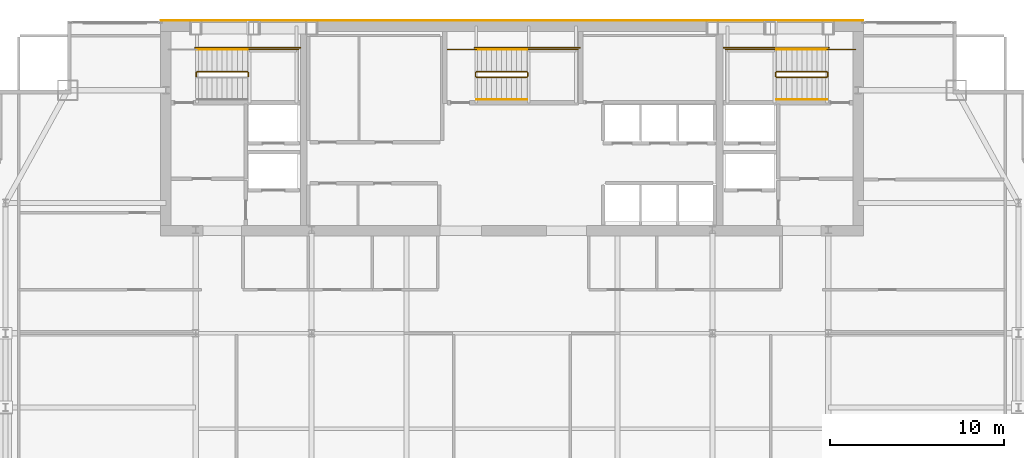
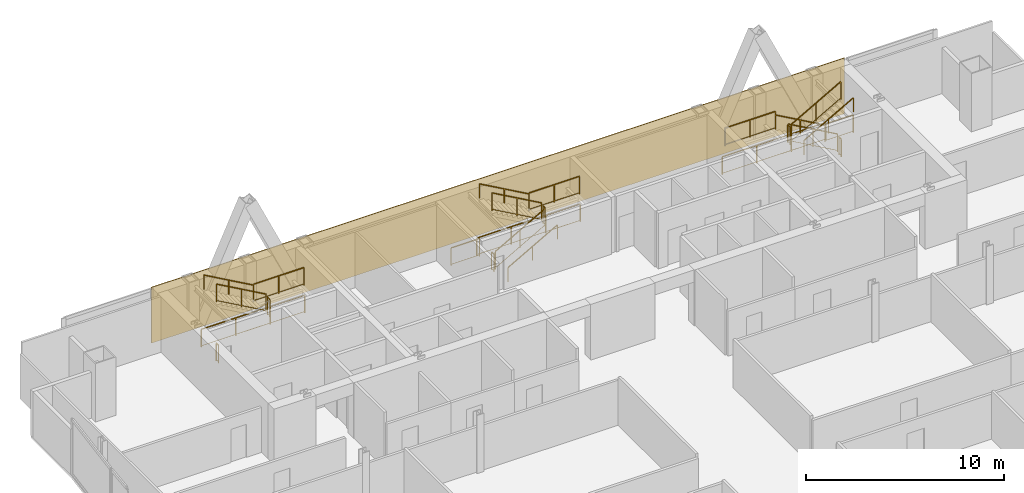
# One storey, part 32 of 32: 24 railings, 1 covering.
"""IFC4 building model written with IfcOpenShell, lengths in metres."""

from ifc_helpers import new_model, si_unit, direction, frame, origin, origin_2d, place, context, subcontext, project, spatial, polyline, rectangle, outline, extrude, material, layer, layer_set, type_object, element, save


model = new_model("IFC4")

# Units and contexts
model_context = context("Model", 3, precision=1e-05, world=origin(), true_north=direction((0.0, 1.0)))
body_context = subcontext(model_context, "Body", "Model", "MODEL_VIEW")
ifc_project = project(units=[si_unit("LENGTHUNIT", "METRE"), si_unit("AREAUNIT", "SQUARE_METRE"), si_unit("VOLUMEUNIT", "CUBIC_METRE"), si_unit("PLANEANGLEUNIT", "RADIAN"), si_unit("MASSUNIT", "GRAM", prefix="KILO")], contexts=[model_context])

# Site, building, storey
site_placement = place(None, origin())
site = spatial("IfcSite", under=ifc_project, at=site_placement, CompositionType="ELEMENT")
building_placement = place(site_placement, origin())
building = spatial("IfcBuilding", under=site, at=building_placement, Name="Khoronbel Lancet Exchange", CompositionType="ELEMENT")
storey_placement = place(building_placement, frame((0.0, 0.0, 231.800048828125)))
storey = spatial("IfcBuildingStorey", under=building, at=storey_placement, Name="L59", CompositionType="ELEMENT", Elevation=231.800048828125)

# Covering
ifc_material_1 = material(Name="Honed Egyptian Limestone & Bronze Rainscreen", Category="masonry")
ifc_layer = layer(ifc_material_1, 0.050048828125, Name="Honed Egyptian Limestone & Bronze Rainscreen")
ifc_layer_set = layer_set([ifc_layer], Name="Honed Egyptian Limestone & Bronze Rainscreen")
covering_type = type_object("IfcCoveringType", Name="COV-CLAD1", PredefinedType="CLADDING", material=ifc_layer_set)
covering_placement = place(storey_placement, origin())
element("IfcCovering", 1, at=covering_placement, inside=storey, type_object=covering_type, Name="Level L59 north rear-core stone and bronze rainscreen cladding", PredefinedType="CLADDING", context=body_context, shape_type="SweptSolid", body=[
    extrude(outline(polyline([(16.199951171875, 53.699951171875), (56.699951171875, 53.699951171875), (56.699951171875, 53.75), (16.199951171875, 53.75), (16.199951171875, 53.699951171875)])), origin(), (0.0, 0.0, 1.0), 3.43994140625),
])

# Railings
ifc_material_2 = material(Name="Painted Steel Balustrade", Category="steel")
railing_type_1 = type_object("IfcRailingType", Name="RL-STG110", PredefinedType="GUARDRAIL", material=ifc_material_2)
railing_1_placement = place(storey_placement, frame((21.25, 50.5, 1.800048828125)))
element("IfcRailing", 2, at=railing_1_placement, inside=storey, type_object=railing_type_1, Name="L59 ST1 stair guard 2", PredefinedType="GUARDRAIL", context=body_context, shape_type="SweptSolid", body=[
    extrude(rectangle(XDim=0.048095703125, YDim=0.048095703125, at=origin_2d()), frame((0.0, 0.0, 1.09619140625), z_axis=(0.0, 1.0, 0.0), x_axis=(-1.0, 0.0, 0.0)), (0.0, 0.0, 1.0), 0.219970703125),
    extrude(rectangle(XDim=0.02392578125, YDim=0.02392578125, at=origin_2d()), frame((0.0, 0.0, 0.080078125), z_axis=(0.0, 1.0, 0.0), x_axis=(-1.0, 0.0, 0.0)), (0.0, 0.0, 1.0), 0.219970703125),
    extrude(rectangle(XDim=0.0419921875, YDim=0.0419921875, at=origin_2d()), origin(), (0.0, 0.0, 1.0), 1.072021484375),
    extrude(rectangle(XDim=0.0419921875, YDim=0.0419921875, at=origin_2d()), frame((0.0, 0.219970703125, 0.0)), (0.0, 0.0, 1.0), 1.072021484375),
])
railing_2_placement = place(storey_placement, frame((21.199951171875, 52.050048828125, 1.800048828125)))
element("IfcRailing", 3, at=railing_2_placement, inside=storey, type_object=railing_type_1, Name="L59 ST1 stair guard 3", PredefinedType="GUARDRAIL", context=body_context, shape_type="SweptSolid", body=[
    extrude(rectangle(XDim=0.048095703125, YDim=0.048095703125, at=origin_2d()), frame((0.0, 0.0, 1.09619140625), z_axis=(1.0, 0.0, 0.0), x_axis=(0.0, 1.0, 0.0)), (0.0, 0.0, 1.0), 2.949951171875),
    extrude(rectangle(XDim=0.02392578125, YDim=0.02392578125, at=origin_2d()), frame((0.0, 0.0, 0.080078125), z_axis=(1.0, 0.0, 0.0), x_axis=(0.0, 1.0, 0.0)), (0.0, 0.0, 1.0), 2.949951171875),
    extrude(rectangle(XDim=0.0419921875, YDim=0.0419921875, at=origin_2d()), origin(), (0.0, 0.0, 1.0), 1.072021484375),
    extrude(rectangle(XDim=0.0419921875, YDim=0.0419921875, at=origin_2d()), frame((1.47509765625, 0.0, 0.0)), (0.0, 0.0, 1.0), 1.072021484375),
    extrude(rectangle(XDim=0.0419921875, YDim=0.0419921875, at=origin_2d()), frame((2.949951171875, 0.0, 0.0)), (0.0, 0.0, 1.0), 1.072021484375),
])
railing_3_placement = place(storey_placement, frame((21.199951171875, 50.77001953125, 1.963623046875)))
element("IfcRailing", 4, at=railing_3_placement, inside=storey, type_object=railing_type_1, Name="L59 ST1 stair guard 4", PredefinedType="GUARDRAIL", context=body_context, shape_type="SweptSolid", body=[
    extrude(rectangle(XDim=0.048095703125, YDim=0.048095703125, at=origin_2d()), frame((0.0, 0.0, 1.09619140625), z_axis=(-0.870928581787, 0.0, 0.491409610636), x_axis=(0.0, -1.0, 0.0)), (0.0, 0.0, 1.0), 3.32958984375),
    extrude(rectangle(XDim=0.02392578125, YDim=0.02392578125, at=origin_2d()), frame((0.0, 0.0, 0.080078125), z_axis=(-0.870928581787, 0.0, 0.491409610636), x_axis=(0.0, -1.0, 0.0)), (0.0, 0.0, 1.0), 3.32958984375),
    extrude(rectangle(XDim=0.0419921875, YDim=0.0419921875, at=origin_2d()), origin(), (0.0, 0.0, 1.0), 1.072021484375),
    extrude(rectangle(XDim=0.0419921875, YDim=0.0419921875, at=origin_2d()), frame((-1.449951171875, 0.0, 0.818115234375)), (0.0, 0.0, 1.0), 1.072021484375),
    extrude(rectangle(XDim=0.0419921875, YDim=0.0419921875, at=origin_2d()), frame((-2.89990234375, 0.0, 1.63623046875)), (0.0, 0.0, 1.0), 1.072021484375),
])
railing_4_placement = place(storey_placement, frame((18.25, 50.5, 0.0)))
element("IfcRailing", 5, at=railing_4_placement, inside=storey, type_object=railing_type_1, Name="L59 ST1 stair guard 5", PredefinedType="GUARDRAIL", context=body_context, shape_type="SweptSolid", body=[
    extrude(rectangle(XDim=0.048095703125, YDim=0.048095703125, at=origin_2d()), frame((0.0, 0.0, 1.09619140625), z_axis=(0.0, 1.0, 0.0), x_axis=(-1.0, 0.0, 0.0)), (0.0, 0.0, 1.0), 0.219970703125),
    extrude(rectangle(XDim=0.02392578125, YDim=0.02392578125, at=origin_2d()), frame((0.0, 0.0, 0.080078125), z_axis=(0.0, 1.0, 0.0), x_axis=(-1.0, 0.0, 0.0)), (0.0, 0.0, 1.0), 0.219970703125),
    extrude(rectangle(XDim=0.0419921875, YDim=0.0419921875, at=origin_2d()), origin(), (0.0, 0.0, 1.0), 1.072021484375),
    extrude(rectangle(XDim=0.0419921875, YDim=0.0419921875, at=origin_2d()), frame((0.0, 0.219970703125, 0.0)), (0.0, 0.0, 1.0), 1.072021484375),
])
railing_5_placement = place(storey_placement, frame((18.199951171875, 52.14990234375, 0.0)))
element("IfcRailing", 6, at=railing_5_placement, inside=storey, type_object=railing_type_1, Name="L59 ST1 stair guard 7", PredefinedType="GUARDRAIL", context=body_context, shape_type="SweptSolid", body=[
    extrude(rectangle(XDim=0.048095703125, YDim=0.048095703125, at=origin_2d()), frame((0.0, 0.0, 1.09619140625), z_axis=(1.0, 0.0, 0.0), x_axis=(0.0, 1.0, 0.0)), (0.0, 0.0, 1.0), 6.050048828125),
    extrude(rectangle(XDim=0.02392578125, YDim=0.02392578125, at=origin_2d()), frame((0.0, 0.0, 0.080078125), z_axis=(1.0, 0.0, 0.0), x_axis=(0.0, 1.0, 0.0)), (0.0, 0.0, 1.0), 6.050048828125),
    extrude(rectangle(XDim=0.0419921875, YDim=0.0419921875, at=origin_2d()), origin(), (0.0, 0.0, 1.0), 1.072021484375),
    extrude(rectangle(XDim=0.0419921875, YDim=0.0419921875, at=origin_2d()), frame((2.0166015625, 0.0, 0.0)), (0.0, 0.0, 1.0), 1.072021484375),
    extrude(rectangle(XDim=0.0419921875, YDim=0.0419921875, at=origin_2d()), frame((4.033447265625, 0.0, 0.0)), (0.0, 0.0, 1.0), 1.072021484375),
    extrude(rectangle(XDim=0.0419921875, YDim=0.0419921875, at=origin_2d()), frame((6.050048828125, 0.0, 0.0)), (0.0, 0.0, 1.0), 1.072021484375),
])
railing_6_placement = place(storey_placement, frame((54.60009765625, 50.77001953125, 0.16357421875)))
element("IfcRailing", 7, at=railing_6_placement, inside=storey, type_object=railing_type_1, Name="L59 ST2 stair guard 1", PredefinedType="GUARDRAIL", context=body_context, shape_type="SweptSolid", body=[
    extrude(rectangle(XDim=0.048095703125, YDim=0.048095703125, at=origin_2d()), frame((0.0, 0.0, 1.09619140625), z_axis=(-0.870914908162, 0.0, 0.491433843708), x_axis=(0.0, -1.0, 0.0)), (0.0, 0.0, 1.0), 3.330078125),
    extrude(rectangle(XDim=0.02392578125, YDim=0.02392578125, at=origin_2d()), frame((0.0, 0.0, 0.080078125), z_axis=(-0.870914908162, 0.0, 0.491433843708), x_axis=(0.0, -1.0, 0.0)), (0.0, 0.0, 1.0), 3.330078125),
    extrude(rectangle(XDim=0.0419921875, YDim=0.0419921875, at=origin_2d()), origin(), (0.0, 0.0, 1.0), 1.072021484375),
    extrude(rectangle(XDim=0.0419921875, YDim=0.0419921875, at=origin_2d()), frame((-1.4501953125, 0.0, 0.818359375)), (0.0, 0.0, 1.0), 1.072021484375),
    extrude(rectangle(XDim=0.0419921875, YDim=0.0419921875, at=origin_2d()), frame((-2.900146484375, 0.0, 1.636474609375)), (0.0, 0.0, 1.0), 1.072021484375),
])
railing_7_placement = place(storey_placement, frame((51.64990234375, 50.719970703125, 1.800048828125)))
element("IfcRailing", 8, at=railing_7_placement, inside=storey, type_object=railing_type_1, Name="L59 ST2 stair guard 2", PredefinedType="GUARDRAIL", context=body_context, shape_type="SweptSolid", body=[
    extrude(rectangle(XDim=0.048095703125, YDim=0.048095703125, at=origin_2d()), frame((0.0, 0.0, 1.09619140625), z_axis=(0.0, -1.0, 0.0), x_axis=(1.0, 0.0, 0.0)), (0.0, 0.0, 1.0), 0.219970703125),
    extrude(rectangle(XDim=0.02392578125, YDim=0.02392578125, at=origin_2d()), frame((0.0, 0.0, 0.080078125), z_axis=(0.0, -1.0, 0.0), x_axis=(1.0, 0.0, 0.0)), (0.0, 0.0, 1.0), 0.219970703125),
    extrude(rectangle(XDim=0.0419921875, YDim=0.0419921875, at=origin_2d()), origin(), (0.0, 0.0, 1.0), 1.072021484375),
    extrude(rectangle(XDim=0.0419921875, YDim=0.0419921875, at=origin_2d()), frame((0.0, -0.219970703125, 0.0)), (0.0, 0.0, 1.0), 1.072021484375),
])
railing_8_placement = place(storey_placement, frame((51.699951171875, 52.050048828125, 1.800048828125)))
element("IfcRailing", 9, at=railing_8_placement, inside=storey, type_object=railing_type_1, Name="L59 ST2 stair guard 3", PredefinedType="GUARDRAIL", context=body_context, shape_type="SweptSolid", body=[
    extrude(rectangle(XDim=0.048095703125, YDim=0.048095703125, at=origin_2d()), frame((0.0, 0.0, 1.09619140625), z_axis=(-1.0, 0.0, 0.0), x_axis=(0.0, -1.0, 0.0)), (0.0, 0.0, 1.0), 2.949951171875),
    extrude(rectangle(XDim=0.02392578125, YDim=0.02392578125, at=origin_2d()), frame((0.0, 0.0, 0.080078125), z_axis=(-1.0, 0.0, 0.0), x_axis=(0.0, -1.0, 0.0)), (0.0, 0.0, 1.0), 2.949951171875),
    extrude(rectangle(XDim=0.0419921875, YDim=0.0419921875, at=origin_2d()), origin(), (0.0, 0.0, 1.0), 1.072021484375),
    extrude(rectangle(XDim=0.0419921875, YDim=0.0419921875, at=origin_2d()), frame((-1.47509765625, 0.0, 0.0)), (0.0, 0.0, 1.0), 1.072021484375),
    extrude(rectangle(XDim=0.0419921875, YDim=0.0419921875, at=origin_2d()), frame((-2.949951171875, 0.0, 0.0)), (0.0, 0.0, 1.0), 1.072021484375),
])
railing_9_placement = place(storey_placement, frame((51.699951171875, 50.449951171875, 1.963623046875)))
element("IfcRailing", 10, at=railing_9_placement, inside=storey, type_object=railing_type_1, Name="L59 ST2 stair guard 4", PredefinedType="GUARDRAIL", context=body_context, shape_type="SweptSolid", body=[
    extrude(rectangle(XDim=0.048095703125, YDim=0.048095703125, at=origin_2d()), frame((0.0, 0.0, 1.09619140625), z_axis=(0.870946286338, 0.0, 0.49137823142), x_axis=(0.0, 1.0, 0.0)), (0.0, 0.0, 1.0), 3.329833984375),
    extrude(rectangle(XDim=0.02392578125, YDim=0.02392578125, at=origin_2d()), frame((0.0, 0.0, 0.080078125), z_axis=(0.870946286338, 0.0, 0.49137823142), x_axis=(0.0, 1.0, 0.0)), (0.0, 0.0, 1.0), 3.329833984375),
    extrude(rectangle(XDim=0.0419921875, YDim=0.0419921875, at=origin_2d()), origin(), (0.0, 0.0, 1.0), 1.072021484375),
    extrude(rectangle(XDim=0.0419921875, YDim=0.0419921875, at=origin_2d()), frame((1.4501953125, 0.0, 0.818115234375)), (0.0, 0.0, 1.0), 1.072021484375),
    extrude(rectangle(XDim=0.0419921875, YDim=0.0419921875, at=origin_2d()), frame((2.900146484375, 0.0, 1.63623046875)), (0.0, 0.0, 1.0), 1.072021484375),
])
railing_10_placement = place(storey_placement, frame((54.64990234375, 50.719970703125, 0.0)))
element("IfcRailing", 11, at=railing_10_placement, inside=storey, type_object=railing_type_1, Name="L59 ST2 stair guard 5", PredefinedType="GUARDRAIL", context=body_context, shape_type="SweptSolid", body=[
    extrude(rectangle(XDim=0.048095703125, YDim=0.048095703125, at=origin_2d()), frame((0.0, 0.0, 1.09619140625), z_axis=(0.0, -1.0, 0.0), x_axis=(1.0, 0.0, 0.0)), (0.0, 0.0, 1.0), 0.219970703125),
    extrude(rectangle(XDim=0.02392578125, YDim=0.02392578125, at=origin_2d()), frame((0.0, 0.0, 0.080078125), z_axis=(0.0, -1.0, 0.0), x_axis=(1.0, 0.0, 0.0)), (0.0, 0.0, 1.0), 0.219970703125),
    extrude(rectangle(XDim=0.0419921875, YDim=0.0419921875, at=origin_2d()), origin(), (0.0, 0.0, 1.0), 1.072021484375),
    extrude(rectangle(XDim=0.0419921875, YDim=0.0419921875, at=origin_2d()), frame((0.0, -0.219970703125, 0.0)), (0.0, 0.0, 1.0), 1.072021484375),
])
railing_11_placement = place(storey_placement, frame((56.25, 52.050048828125, 0.0)))
element("IfcRailing", 12, at=railing_11_placement, inside=storey, type_object=railing_type_1, Name="L59 ST2 stair guard 6", PredefinedType="GUARDRAIL", context=body_context, shape_type="SweptSolid", body=[
    extrude(rectangle(XDim=0.048095703125, YDim=0.048095703125, at=origin_2d()), frame((0.0, 0.0, 1.09619140625), z_axis=(-1.0, 0.0, 0.0), x_axis=(0.0, -1.0, 0.0)), (0.0, 0.0, 1.0), 1.64990234375),
    extrude(rectangle(XDim=0.02392578125, YDim=0.02392578125, at=origin_2d()), frame((0.0, 0.0, 0.080078125), z_axis=(-1.0, 0.0, 0.0), x_axis=(0.0, -1.0, 0.0)), (0.0, 0.0, 1.0), 1.64990234375),
    extrude(rectangle(XDim=0.0419921875, YDim=0.0419921875, at=origin_2d()), origin(), (0.0, 0.0, 1.0), 1.072021484375),
    extrude(rectangle(XDim=0.0419921875, YDim=0.0419921875, at=origin_2d()), frame((-1.64990234375, 0.0, 0.0)), (0.0, 0.0, 1.0), 1.072021484375),
])
railing_12_placement = place(storey_placement, frame((54.699951171875, 52.14990234375, 0.0)))
element("IfcRailing", 13, at=railing_12_placement, inside=storey, type_object=railing_type_1, Name="L59 ST2 stair guard 7", PredefinedType="GUARDRAIL", context=body_context, shape_type="SweptSolid", body=[
    extrude(rectangle(XDim=0.048095703125, YDim=0.048095703125, at=origin_2d()), frame((0.0, 0.0, 1.09619140625), z_axis=(-1.0, 0.0, 0.0), x_axis=(0.0, -1.0, 0.0)), (0.0, 0.0, 1.0), 6.050048828125),
    extrude(rectangle(XDim=0.02392578125, YDim=0.02392578125, at=origin_2d()), frame((0.0, 0.0, 0.080078125), z_axis=(-1.0, 0.0, 0.0), x_axis=(0.0, -1.0, 0.0)), (0.0, 0.0, 1.0), 6.050048828125),
    extrude(rectangle(XDim=0.0419921875, YDim=0.0419921875, at=origin_2d()), origin(), (0.0, 0.0, 1.0), 1.072021484375),
    extrude(rectangle(XDim=0.0419921875, YDim=0.0419921875, at=origin_2d()), frame((-2.0166015625, 0.0, 0.0)), (0.0, 0.0, 1.0), 1.072021484375),
    extrude(rectangle(XDim=0.0419921875, YDim=0.0419921875, at=origin_2d()), frame((-4.033447265625, 0.0, 0.0)), (0.0, 0.0, 1.0), 1.072021484375),
    extrude(rectangle(XDim=0.0419921875, YDim=0.0419921875, at=origin_2d()), frame((-6.050048828125, 0.0, 0.0)), (0.0, 0.0, 1.0), 1.072021484375),
])
railing_13_placement = place(storey_placement, frame((34.39990234375, 50.449951171875, 0.16357421875)))
element("IfcRailing", 14, at=railing_13_placement, inside=storey, type_object=railing_type_1, Name="L59 ST3 stair guard 1", PredefinedType="GUARDRAIL", context=body_context, shape_type="SweptSolid", body=[
    extrude(rectangle(XDim=0.048095703125, YDim=0.048095703125, at=origin_2d()), frame((0.0, 0.0, 1.09619140625), z_axis=(0.870914908162, 0.0, 0.491433843708), x_axis=(0.0, 1.0, 0.0)), (0.0, 0.0, 1.0), 3.330078125),
    extrude(rectangle(XDim=0.02392578125, YDim=0.02392578125, at=origin_2d()), frame((0.0, 0.0, 0.080078125), z_axis=(0.870914908162, 0.0, 0.491433843708), x_axis=(0.0, 1.0, 0.0)), (0.0, 0.0, 1.0), 3.330078125),
    extrude(rectangle(XDim=0.0419921875, YDim=0.0419921875, at=origin_2d()), origin(), (0.0, 0.0, 1.0), 1.072021484375),
    extrude(rectangle(XDim=0.0419921875, YDim=0.0419921875, at=origin_2d()), frame((1.4501953125, 0.0, 0.818359375)), (0.0, 0.0, 1.0), 1.072021484375),
    extrude(rectangle(XDim=0.0419921875, YDim=0.0419921875, at=origin_2d()), frame((2.900146484375, 0.0, 1.636474609375)), (0.0, 0.0, 1.0), 1.072021484375),
])
railing_14_placement = place(storey_placement, frame((37.35009765625, 50.5, 1.800048828125)))
element("IfcRailing", 15, at=railing_14_placement, inside=storey, type_object=railing_type_1, Name="L59 ST3 stair guard 2", PredefinedType="GUARDRAIL", context=body_context, shape_type="SweptSolid", body=[
    extrude(rectangle(XDim=0.048095703125, YDim=0.048095703125, at=origin_2d()), frame((0.0, 0.0, 1.09619140625), z_axis=(0.0, 1.0, 0.0), x_axis=(-1.0, 0.0, 0.0)), (0.0, 0.0, 1.0), 0.219970703125),
    extrude(rectangle(XDim=0.02392578125, YDim=0.02392578125, at=origin_2d()), frame((0.0, 0.0, 0.080078125), z_axis=(0.0, 1.0, 0.0), x_axis=(-1.0, 0.0, 0.0)), (0.0, 0.0, 1.0), 0.219970703125),
    extrude(rectangle(XDim=0.0419921875, YDim=0.0419921875, at=origin_2d()), origin(), (0.0, 0.0, 1.0), 1.072021484375),
    extrude(rectangle(XDim=0.0419921875, YDim=0.0419921875, at=origin_2d()), frame((0.0, 0.219970703125, 0.0)), (0.0, 0.0, 1.0), 1.072021484375),
])
railing_15_placement = place(storey_placement, frame((37.300048828125, 52.050048828125, 1.800048828125)))
element("IfcRailing", 16, at=railing_15_placement, inside=storey, type_object=railing_type_1, Name="L59 ST3 stair guard 3", PredefinedType="GUARDRAIL", context=body_context, shape_type="SweptSolid", body=[
    extrude(rectangle(XDim=0.048095703125, YDim=0.048095703125, at=origin_2d()), frame((0.0, 0.0, 1.09619140625), z_axis=(1.0, 0.0, 0.0), x_axis=(0.0, 1.0, 0.0)), (0.0, 0.0, 1.0), 2.949951171875),
    extrude(rectangle(XDim=0.02392578125, YDim=0.02392578125, at=origin_2d()), frame((0.0, 0.0, 0.080078125), z_axis=(1.0, 0.0, 0.0), x_axis=(0.0, 1.0, 0.0)), (0.0, 0.0, 1.0), 2.949951171875),
    extrude(rectangle(XDim=0.0419921875, YDim=0.0419921875, at=origin_2d()), origin(), (0.0, 0.0, 1.0), 1.072021484375),
    extrude(rectangle(XDim=0.0419921875, YDim=0.0419921875, at=origin_2d()), frame((1.47509765625, 0.0, 0.0)), (0.0, 0.0, 1.0), 1.072021484375),
    extrude(rectangle(XDim=0.0419921875, YDim=0.0419921875, at=origin_2d()), frame((2.949951171875, 0.0, 0.0)), (0.0, 0.0, 1.0), 1.072021484375),
])
railing_16_placement = place(storey_placement, frame((37.300048828125, 50.77001953125, 1.963623046875)))
element("IfcRailing", 17, at=railing_16_placement, inside=storey, type_object=railing_type_1, Name="L59 ST3 stair guard 4", PredefinedType="GUARDRAIL", context=body_context, shape_type="SweptSolid", body=[
    extrude(rectangle(XDim=0.048095703125, YDim=0.048095703125, at=origin_2d()), frame((0.0, 0.0, 1.09619140625), z_axis=(-0.870946286338, 0.0, 0.49137823142), x_axis=(0.0, -1.0, 0.0)), (0.0, 0.0, 1.0), 3.329833984375),
    extrude(rectangle(XDim=0.02392578125, YDim=0.02392578125, at=origin_2d()), frame((0.0, 0.0, 0.080078125), z_axis=(-0.870946286338, 0.0, 0.49137823142), x_axis=(0.0, -1.0, 0.0)), (0.0, 0.0, 1.0), 3.329833984375),
    extrude(rectangle(XDim=0.0419921875, YDim=0.0419921875, at=origin_2d()), origin(), (0.0, 0.0, 1.0), 1.072021484375),
    extrude(rectangle(XDim=0.0419921875, YDim=0.0419921875, at=origin_2d()), frame((-1.4501953125, 0.0, 0.818115234375)), (0.0, 0.0, 1.0), 1.072021484375),
    extrude(rectangle(XDim=0.0419921875, YDim=0.0419921875, at=origin_2d()), frame((-2.900146484375, 0.0, 1.63623046875)), (0.0, 0.0, 1.0), 1.072021484375),
])
railing_17_placement = place(storey_placement, frame((34.35009765625, 50.5, 0.0)))
element("IfcRailing", 18, at=railing_17_placement, inside=storey, type_object=railing_type_1, Name="L59 ST3 stair guard 5", PredefinedType="GUARDRAIL", context=body_context, shape_type="SweptSolid", body=[
    extrude(rectangle(XDim=0.048095703125, YDim=0.048095703125, at=origin_2d()), frame((0.0, 0.0, 1.09619140625), z_axis=(0.0, 1.0, 0.0), x_axis=(-1.0, 0.0, 0.0)), (0.0, 0.0, 1.0), 0.219970703125),
    extrude(rectangle(XDim=0.02392578125, YDim=0.02392578125, at=origin_2d()), frame((0.0, 0.0, 0.080078125), z_axis=(0.0, 1.0, 0.0), x_axis=(-1.0, 0.0, 0.0)), (0.0, 0.0, 1.0), 0.219970703125),
    extrude(rectangle(XDim=0.0419921875, YDim=0.0419921875, at=origin_2d()), origin(), (0.0, 0.0, 1.0), 1.072021484375),
    extrude(rectangle(XDim=0.0419921875, YDim=0.0419921875, at=origin_2d()), frame((0.0, 0.219970703125, 0.0)), (0.0, 0.0, 1.0), 1.072021484375),
])
railing_18_placement = place(storey_placement, frame((32.75, 52.050048828125, 0.0)))
element("IfcRailing", 19, at=railing_18_placement, inside=storey, type_object=railing_type_1, Name="L59 ST3 stair guard 6", PredefinedType="GUARDRAIL", context=body_context, shape_type="SweptSolid", body=[
    extrude(rectangle(XDim=0.048095703125, YDim=0.048095703125, at=origin_2d()), frame((0.0, 0.0, 1.09619140625), z_axis=(1.0, 0.0, 0.0), x_axis=(0.0, 1.0, 0.0)), (0.0, 0.0, 1.0), 1.64990234375),
    extrude(rectangle(XDim=0.02392578125, YDim=0.02392578125, at=origin_2d()), frame((0.0, 0.0, 0.080078125), z_axis=(1.0, 0.0, 0.0), x_axis=(0.0, 1.0, 0.0)), (0.0, 0.0, 1.0), 1.64990234375),
    extrude(rectangle(XDim=0.0419921875, YDim=0.0419921875, at=origin_2d()), origin(), (0.0, 0.0, 1.0), 1.072021484375),
    extrude(rectangle(XDim=0.0419921875, YDim=0.0419921875, at=origin_2d()), frame((1.64990234375, 0.0, 0.0)), (0.0, 0.0, 1.0), 1.072021484375),
])
railing_19_placement = place(storey_placement, frame((34.300048828125, 52.14990234375, 0.0)))
element("IfcRailing", 20, at=railing_19_placement, inside=storey, type_object=railing_type_1, Name="L59 ST3 stair guard 7", PredefinedType="GUARDRAIL", context=body_context, shape_type="SweptSolid", body=[
    extrude(rectangle(XDim=0.048095703125, YDim=0.048095703125, at=origin_2d()), frame((0.0, 0.0, 1.09619140625), z_axis=(1.0, 0.0, 0.0), x_axis=(0.0, 1.0, 0.0)), (0.0, 0.0, 1.0), 6.050048828125),
    extrude(rectangle(XDim=0.02392578125, YDim=0.02392578125, at=origin_2d()), frame((0.0, 0.0, 0.080078125), z_axis=(1.0, 0.0, 0.0), x_axis=(0.0, 1.0, 0.0)), (0.0, 0.0, 1.0), 6.050048828125),
    extrude(rectangle(XDim=0.0419921875, YDim=0.0419921875, at=origin_2d()), origin(), (0.0, 0.0, 1.0), 1.072021484375),
    extrude(rectangle(XDim=0.0419921875, YDim=0.0419921875, at=origin_2d()), frame((2.0166015625, 0.0, 0.0)), (0.0, 0.0, 1.0), 1.072021484375),
    extrude(rectangle(XDim=0.0419921875, YDim=0.0419921875, at=origin_2d()), frame((4.033447265625, 0.0, 0.0)), (0.0, 0.0, 1.0), 1.072021484375),
    extrude(rectangle(XDim=0.0419921875, YDim=0.0419921875, at=origin_2d()), frame((6.050048828125, 0.0, 0.0)), (0.0, 0.0, 1.0), 1.072021484375),
])
ifc_material_3 = material(Name="Brushed Stainless Steel 316", Category="steel")
railing_type_2 = type_object("IfcRailingType", Name="RL-STH92", PredefinedType="HANDRAIL", material=ifc_material_3)
railing_20_placement = place(storey_placement, frame((21.199951171875, 52.050048828125, 1.963623046875)))
element("IfcRailing", 21, at=railing_20_placement, inside=storey, type_object=railing_type_2, Name="L59 ST1 stair handrail 2", PredefinedType="HANDRAIL", context=body_context, shape_type="SweptSolid", body=[
    extrude(rectangle(XDim=0.048095703125, YDim=0.048095703125, at=origin_2d()), frame((0.0, 0.0, 0.8759765625), z_axis=(-0.870928581787, 0.0, 0.491409610636), x_axis=(0.0, -1.0, 0.0)), (0.0, 0.0, 1.0), 3.32958984375),
    extrude(rectangle(XDim=0.0419921875, YDim=0.0419921875, at=origin_2d()), origin(), (0.0, 0.0, 1.0), 0.851806640625),
    extrude(rectangle(XDim=0.0419921875, YDim=0.0419921875, at=origin_2d()), frame((-1.449951171875, 0.0, 0.818115234375)), (0.0, 0.0, 1.0), 0.851806640625),
    extrude(rectangle(XDim=0.0419921875, YDim=0.0419921875, at=origin_2d()), frame((-2.89990234375, 0.0, 1.63623046875)), (0.0, 0.0, 1.0), 0.851806640625),
])
railing_21_placement = place(storey_placement, frame((54.60009765625, 52.050048828125, 0.16357421875)))
element("IfcRailing", 22, at=railing_21_placement, inside=storey, type_object=railing_type_2, Name="L59 ST2 stair handrail 1", PredefinedType="HANDRAIL", context=body_context, shape_type="SweptSolid", body=[
    extrude(rectangle(XDim=0.048095703125, YDim=0.048095703125, at=origin_2d()), frame((0.0, 0.0, 0.8759765625), z_axis=(-0.870914908162, 0.0, 0.491433843708), x_axis=(0.0, -1.0, 0.0)), (0.0, 0.0, 1.0), 3.330078125),
    extrude(rectangle(XDim=0.0419921875, YDim=0.0419921875, at=origin_2d()), origin(), (0.0, 0.0, 1.0), 0.851806640625),
    extrude(rectangle(XDim=0.0419921875, YDim=0.0419921875, at=origin_2d()), frame((-1.4501953125, 0.0, 0.818359375)), (0.0, 0.0, 1.0), 0.851806640625),
    extrude(rectangle(XDim=0.0419921875, YDim=0.0419921875, at=origin_2d()), frame((-2.900146484375, 0.0, 1.636474609375)), (0.0, 0.0, 1.0), 0.851806640625),
])
railing_22_placement = place(storey_placement, frame((51.699951171875, 49.169921875, 1.963623046875)))
element("IfcRailing", 23, at=railing_22_placement, inside=storey, type_object=railing_type_2, Name="L59 ST2 stair handrail 2", PredefinedType="HANDRAIL", context=body_context, shape_type="SweptSolid", body=[
    extrude(rectangle(XDim=0.048095703125, YDim=0.048095703125, at=origin_2d()), frame((0.0, 0.0, 0.8759765625), z_axis=(0.870946286338, 0.0, 0.49137823142), x_axis=(0.0, 1.0, 0.0)), (0.0, 0.0, 1.0), 3.329833984375),
    extrude(rectangle(XDim=0.0419921875, YDim=0.0419921875, at=origin_2d()), origin(), (0.0, 0.0, 1.0), 0.851806640625),
    extrude(rectangle(XDim=0.0419921875, YDim=0.0419921875, at=origin_2d()), frame((1.4501953125, 0.0, 0.818115234375)), (0.0, 0.0, 1.0), 0.851806640625),
    extrude(rectangle(XDim=0.0419921875, YDim=0.0419921875, at=origin_2d()), frame((2.900146484375, 0.0, 1.63623046875)), (0.0, 0.0, 1.0), 0.851806640625),
])
railing_23_placement = place(storey_placement, frame((34.39990234375, 49.169921875, 0.16357421875)))
element("IfcRailing", 24, at=railing_23_placement, inside=storey, type_object=railing_type_2, Name="L59 ST3 stair handrail 1", PredefinedType="HANDRAIL", context=body_context, shape_type="SweptSolid", body=[
    extrude(rectangle(XDim=0.048095703125, YDim=0.048095703125, at=origin_2d()), frame((0.0, 0.0, 0.8759765625), z_axis=(0.870914908162, 0.0, 0.491433843708), x_axis=(0.0, 1.0, 0.0)), (0.0, 0.0, 1.0), 3.330078125),
    extrude(rectangle(XDim=0.0419921875, YDim=0.0419921875, at=origin_2d()), origin(), (0.0, 0.0, 1.0), 0.851806640625),
    extrude(rectangle(XDim=0.0419921875, YDim=0.0419921875, at=origin_2d()), frame((1.4501953125, 0.0, 0.818359375)), (0.0, 0.0, 1.0), 0.851806640625),
    extrude(rectangle(XDim=0.0419921875, YDim=0.0419921875, at=origin_2d()), frame((2.900146484375, 0.0, 1.636474609375)), (0.0, 0.0, 1.0), 0.851806640625),
])
railing_24_placement = place(storey_placement, frame((37.300048828125, 52.050048828125, 1.963623046875)))
element("IfcRailing", 25, at=railing_24_placement, inside=storey, type_object=railing_type_2, Name="L59 ST3 stair handrail 2", PredefinedType="HANDRAIL", context=body_context, shape_type="SweptSolid", body=[
    extrude(rectangle(XDim=0.048095703125, YDim=0.048095703125, at=origin_2d()), frame((0.0, 0.0, 0.8759765625), z_axis=(-0.870946286338, 0.0, 0.49137823142), x_axis=(0.0, -1.0, 0.0)), (0.0, 0.0, 1.0), 3.329833984375),
    extrude(rectangle(XDim=0.0419921875, YDim=0.0419921875, at=origin_2d()), origin(), (0.0, 0.0, 1.0), 0.851806640625),
    extrude(rectangle(XDim=0.0419921875, YDim=0.0419921875, at=origin_2d()), frame((-1.4501953125, 0.0, 0.818115234375)), (0.0, 0.0, 1.0), 0.851806640625),
    extrude(rectangle(XDim=0.0419921875, YDim=0.0419921875, at=origin_2d()), frame((-2.900146484375, 0.0, 1.63623046875)), (0.0, 0.0, 1.0), 0.851806640625),
])

save(model, "model.ifc")
